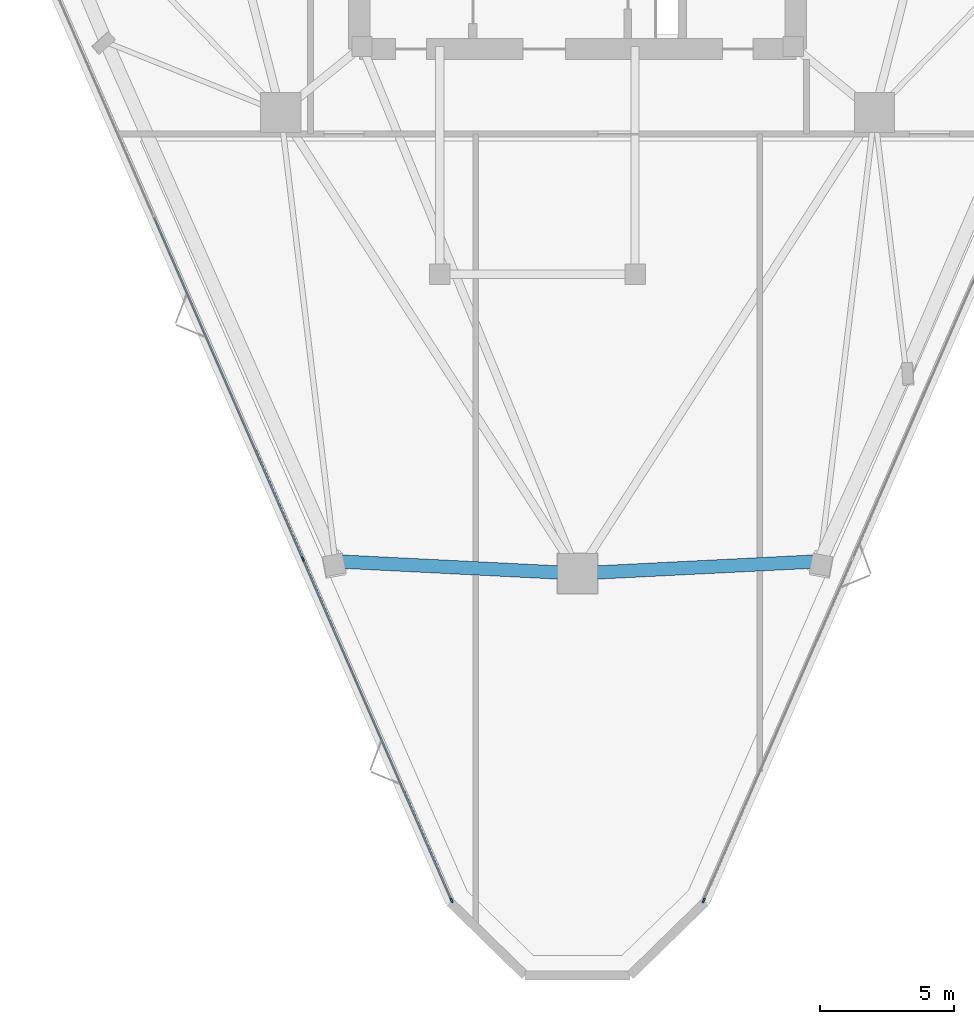
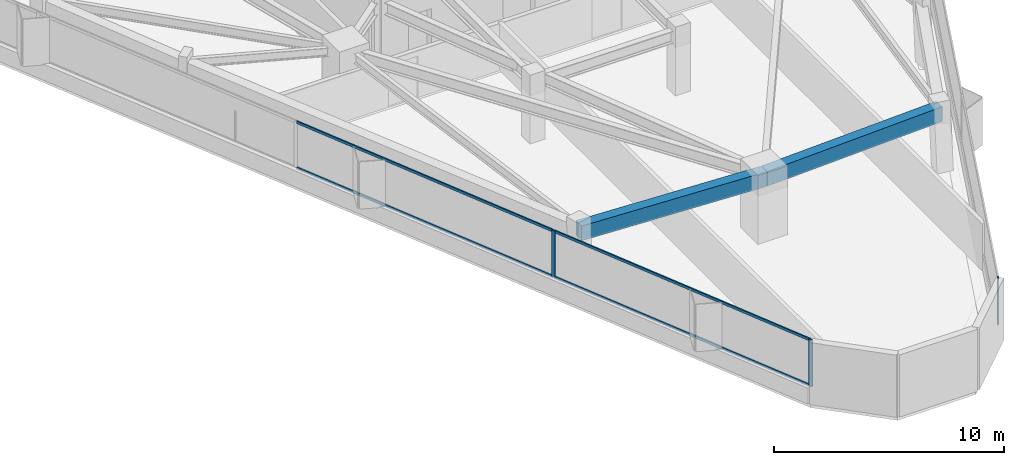
# One storey, part 2 of 13: 7 members, 2 beams, 2 elements without a shape of their own.
"""IFC4 building model written with IfcOpenShell, lengths in metres."""

from ifc_helpers import new_model, si_unit, direction, frame, origin, origin_2d, place, context, subcontext, project, spatial, rectangle, extrude, material, layer, layer_set, material_profile, profile_set, type_object, element, aggregate, save


model = new_model("IFC4")

# Units and contexts
model_context = context("Model", 3, precision=1e-05, world=origin(), true_north=direction((0.0, 1.0)))
body_context = subcontext(model_context, "Body", "Model", "MODEL_VIEW")
ifc_project = project(units=[si_unit("LENGTHUNIT", "METRE"), si_unit("AREAUNIT", "SQUARE_METRE"), si_unit("VOLUMEUNIT", "CUBIC_METRE"), si_unit("PLANEANGLEUNIT", "RADIAN"), si_unit("MASSUNIT", "GRAM", prefix="KILO")], contexts=[model_context])

# Site, building, storey
site_placement = place(None, origin())
site = spatial("IfcSite", under=ifc_project, at=site_placement, CompositionType="ELEMENT")
building_placement = place(site_placement, origin())
building = spatial("IfcBuilding", under=site, at=building_placement, Name="Talyreon Biosciences Tower", CompositionType="ELEMENT")
storey_placement = place(building_placement, frame((0.0, 0.0, 167.35009765625)))
storey = spatial("IfcBuildingStorey", under=building, at=storey_placement, Name="L44", CompositionType="ELEMENT", Elevation=167.35009765625)

# Curtain wall, members
ifc_material_1 = material(Name="Thermally broken aluminium and low-E glazing", Category="aluminium")
ifc_layer = layer(ifc_material_1, 0.18505859375)
ifc_layer_set = layer_set([ifc_layer], Name="Thermally broken aluminium and low-E glazing")
curtain_wall_type = type_object("IfcCurtainWallType", Name="CurtainWall_Zone3Bioprocess", PredefinedType="NOTDEFINED", material=ifc_layer_set)
curtain_wall_1_placement = place(storey_placement, origin())
curtain_wall_1 = element("IfcCurtainWall", 1, at=curtain_wall_1_placement, inside=storey, type_object=curtain_wall_type, Name="L44 Unitised Curtain Wall FCW-L44-00", PredefinedType="NOTDEFINED")
ifc_material_2 = material(Name="Anodised thermally broken aluminium", Category="aluminium")
ifc_material_profile_1 = material_profile(ifc_material_2, rectangle(XDim=0.06494140625, YDim=0.179931640625, at=origin_2d()), Name="ALUM MULLION 65x180")
ifc_profile_set_1 = profile_set([ifc_material_profile_1], Name="Anodised thermally broken aluminium")
member_type_1 = type_object("IfcMemberType", Name="CWMullion_65x180", PredefinedType="MULLION", material=ifc_profile_set_1)
member_1_placement = place(storey_placement, frame((61.292724609375, 29.457275390625, 0.809814453125), z_axis=(0.0, 0.0, 1.0), x_axis=(-0.916820215501, -0.399300253505, 0.0)))
member_1 = element("IfcMember", 2, at=member_1_placement, type_object=member_type_1, Name="CW4 mullion 1", PredefinedType="MULLION", context=body_context, shape_type="SweptSolid", body=[
    extrude(rectangle(XDim=0.06494140625, YDim=0.179931640625, at=origin_2d()), origin(), (0.0, 0.0, 1.0), 2.489990234375),
])
member_2_placement = place(storey_placement, frame((55.740478515625, 42.205810546875, 0.809814453125), z_axis=(0.0, 0.0, 1.0), x_axis=(-0.916820215501, -0.399300253505, 0.0)))
member_2 = element("IfcMember", 3, at=member_2_placement, type_object=member_type_1, Name="CW4 mullion 2", PredefinedType="MULLION", context=body_context, shape_type="SweptSolid", body=[
    extrude(rectangle(XDim=0.06494140625, YDim=0.179931640625, at=origin_2d()), origin(), (0.0, 0.0, 1.0), 2.489990234375),
])

# Curtain wall, member
curtain_wall_2_placement = place(storey_placement, origin())
curtain_wall_2 = element("IfcCurtainWall", 4, at=curtain_wall_2_placement, inside=storey, type_object=curtain_wall_type, Name="L44 Unitised Curtain Wall FCW-L44-08", PredefinedType="NOTDEFINED")
member_3_placement = place(storey_placement, frame((70.707275390625, 29.457275390625, 0.809814453125), z_axis=(0.0, 0.0, 1.0), x_axis=(0.916820215501, -0.399300253505, 0.0)))
member_3 = element("IfcMember", 5, at=member_3_placement, type_object=member_type_1, Name="CW4 mullion 5", PredefinedType="MULLION", context=body_context, shape_type="SweptSolid", body=[
    extrude(rectangle(XDim=0.06494140625, YDim=0.179931640625, at=origin_2d()), origin(), (0.0, 0.0, 1.0), 2.489990234375),
])
aggregate(curtain_wall_2, [member_3])

# Member
ifc_material_profile_2 = material_profile(ifc_material_2, rectangle(XDim=0.06494140625, YDim=0.139892578125, at=origin_2d()), Name="ALUM TRANSOM 65x140")
ifc_profile_set_2 = profile_set([ifc_material_profile_2], Name="Anodised thermally broken aluminium")
member_type_2 = type_object("IfcMemberType", Name="CWTransom_65x140", PredefinedType="USERDEFINED", material=ifc_profile_set_2)
member_4_placement = place(storey_placement, frame((61.27978515625, 29.487060546875, 0.84228515625), z_axis=(-0.399298814497, 0.916820842227, 0.0), x_axis=(-0.916820842227, -0.399298814497, 0.0)))
member_4 = element("IfcMember", 6, at=member_4_placement, type_object=member_type_2, Name="CW4 transom 1.1", ObjectType="TRANSOM", PredefinedType="USERDEFINED", context=body_context, shape_type="SweptSolid", body=[
    extrude(rectangle(XDim=0.06494140625, YDim=0.139892578125, at=origin_2d()), origin(), (0.0, 0.0, 1.0), 13.840087890625),
])

member_5_placement = place(storey_placement, frame((61.27978515625, 29.487060546875, 3.267333984375), z_axis=(-0.399298814497, 0.916820842227, 0.0), x_axis=(-0.916820842227, -0.399298814497, 0.0)))
member_5 = element("IfcMember", 7, at=member_5_placement, type_object=member_type_2, Name="CW4 transom 1.2", ObjectType="TRANSOM", PredefinedType="USERDEFINED", context=body_context, shape_type="SweptSolid", body=[
    extrude(rectangle(XDim=0.06494140625, YDim=0.139892578125, at=origin_2d()), origin(), (0.0, 0.0, 1.0), 13.840087890625),
])

member_6_placement = place(storey_placement, frame((55.7275390625, 42.235595703125, 0.84228515625), z_axis=(-0.399305180689, 0.916818069562, 0.0), x_axis=(-0.916818069562, -0.399305180689, 0.0)))
member_6 = element("IfcMember", 8, at=member_6_placement, type_object=member_type_2, Name="CW4 transom 2.1", ObjectType="TRANSOM", PredefinedType="USERDEFINED", context=body_context, shape_type="SweptSolid", body=[
    extrude(rectangle(XDim=0.06494140625, YDim=0.139892578125, at=origin_2d()), origin(), (0.0, 0.0, 1.0), 13.873046875),
])

member_7_placement = place(storey_placement, frame((55.7275390625, 42.235595703125, 3.267333984375), z_axis=(-0.399305180689, 0.916818069562, 0.0), x_axis=(-0.916818069562, -0.399305180689, 0.0)))
member_7 = element("IfcMember", 9, at=member_7_placement, type_object=member_type_2, Name="CW4 transom 2.2", ObjectType="TRANSOM", PredefinedType="USERDEFINED", context=body_context, shape_type="SweptSolid", body=[
    extrude(rectangle(XDim=0.06494140625, YDim=0.139892578125, at=origin_2d()), origin(), (0.0, 0.0, 1.0), 13.873046875),
])

aggregate(curtain_wall_1, [member_1, member_2, member_4, member_5, member_6, member_7])

# Beams
ifc_material_3 = material(Name="Precast concrete C45/55", Category="concrete")
ifc_material_profile_3 = material_profile(ifc_material_3, rectangle(XDim=0.5, YDim=0.780029296875, at=origin_2d()), Name="RCB 500x780")
ifc_profile_set_3 = profile_set([ifc_material_profile_3], Name="Precast concrete C45/55")
beam_type = type_object("IfcBeamType", Name="ExpressedSpandrel_500x780", PredefinedType="SPANDREL", material=ifc_profile_set_3)
for number, where, z_axis, x_axis, name in (
    (10, (66.0, 41.6669921875, 2.909912109375), (0.998739751125, 0.05018873901, 0.0), (-0.05018873901, 0.998739751125, 0.0), "L44 Expressed Horizontal Concrete Spandrel 01"),
    (11, (56.944091796875, 42.1220703125, 2.909912109375), (0.998739751125, -0.05018873901, 0.0), (0.05018873901, 0.998739751125, 0.0), "L44 Expressed Horizontal Concrete Spandrel 12"),
):
    element("IfcBeam", number, at=place(storey_placement, frame(where, z_axis=z_axis, x_axis=x_axis)), inside=storey, type_object=beam_type, Name=name, PredefinedType="SPANDREL", context=body_context, shape_type="SweptSolid", body=[
        extrude(rectangle(XDim=0.5, YDim=0.780029296875, at=origin_2d()), origin(), (0.0, 0.0, 1.0), 9.0673828125),
    ])

save(model, "model.ifc")
